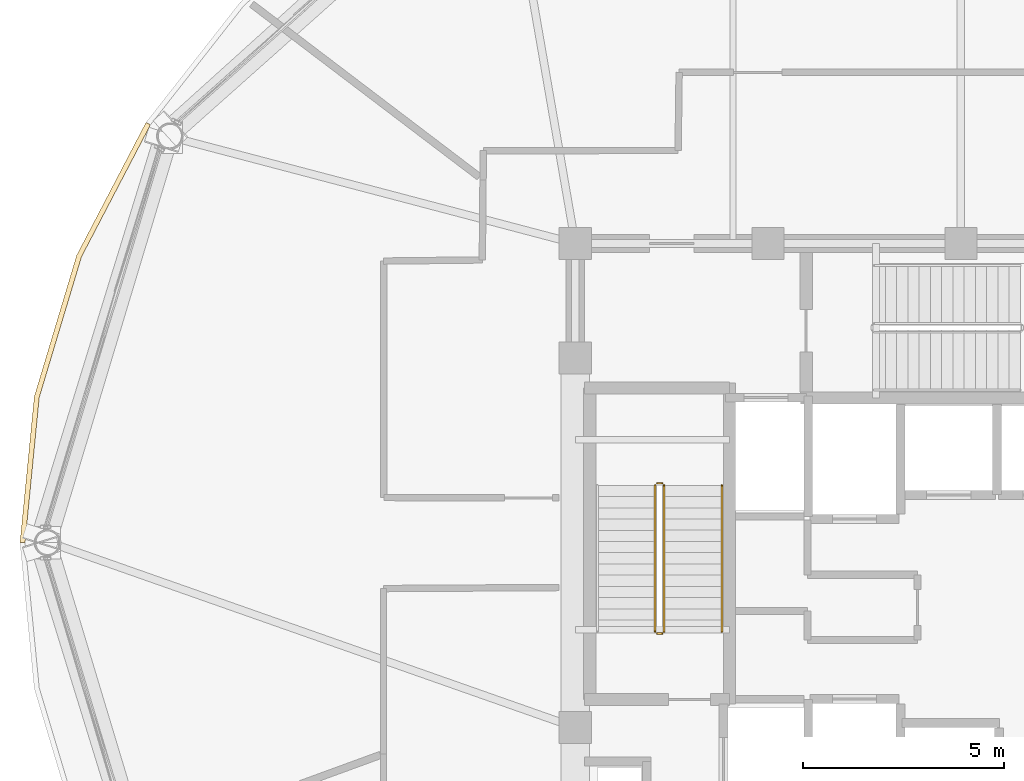
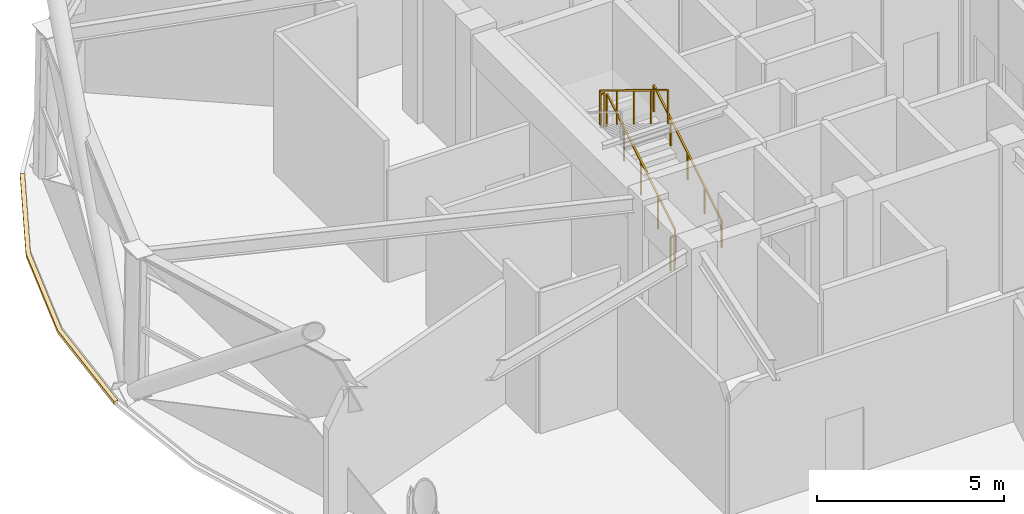
# One storey, part 14 of 16: 5 railings, 1 covering.
"""IFC4 building model written with IfcOpenShell, lengths in metres."""

from ifc_helpers import new_model, si_unit, direction, frame, origin, origin_2d, place, context, subcontext, project, spatial, polyline, rectangle, outline, extrude, material, layer, layer_set, type_object, element, save


model = new_model("IFC4")

# Units and contexts
model_context = context("Model", 3, precision=1e-05, world=origin(), true_north=direction((0.0, 1.0)))
body_context = subcontext(model_context, "Body", "Model", "MODEL_VIEW")
ifc_project = project(units=[si_unit("LENGTHUNIT", "METRE"), si_unit("AREAUNIT", "SQUARE_METRE"), si_unit("VOLUMEUNIT", "CUBIC_METRE"), si_unit("PLANEANGLEUNIT", "RADIAN"), si_unit("MASSUNIT", "GRAM", prefix="KILO")], contexts=[model_context])

# Site, building, storey
site_placement = place(None, origin())
site = spatial("IfcSite", under=ifc_project, at=site_placement, CompositionType="ELEMENT")
building_placement = place(site_placement, origin())
building = spatial("IfcBuilding", under=site, at=building_placement, Name="Vantalir Tower", CompositionType="ELEMENT")
storey_placement = place(building_placement, frame((0.0, 0.0, 181.35009765625)))
storey = spatial("IfcBuildingStorey", under=building, at=storey_placement, Name="L45", CompositionType="ELEMENT", Elevation=181.35009765625)

# Covering
ifc_material_1 = material(Name="Anodised champagne aluminium sill fascia", Category="aluminium")
ifc_layer = layer(ifc_material_1, 0.125)
ifc_layer_set = layer_set([ifc_layer], Name="Anodised champagne aluminium sill fascia")
covering_type = type_object("IfcCoveringType", Name="COV-SLAB-FASCIA-125", PredefinedType="CLADDING", material=ifc_layer_set)
covering_placement = place(storey_placement, frame((0.0, 0.0, -0.18017578125)))
element("IfcCovering", 1, at=covering_placement, inside=storey, type_object=covering_type, Name="L45 Perimeter Slab-Edge Sill Fascia 06", PredefinedType="CLADDING", context=body_context, shape_type="SweptSolid", body=[
    extrude(outline(polyline([(11.212890625, 35.464111328125), (9.488037109375, 32.157958984375), (8.430908203125, 28.634033203125), (8.074951171875, 25.0), (8.199951171875, 25.0), (8.553955078125, 28.613037109375), (9.60498046875, 32.114990234375), (11.322021484375, 35.402099609375), (11.212890625, 35.464111328125)])), origin(), (0.0, 0.0, 1.0), 0.10498046875),
])

# Railings
ifc_material_2 = material(Name="Anodised aluminium and stainless steel guard", Category="steel")
railing_type_1 = type_object("IfcRailingType", Name="RAL-GUARD-1120", PredefinedType="GUARDRAIL", material=ifc_material_2)
railing_1_placement = place(storey_placement, frame((24.110107421875, 22.7900390625, 0.17138671875)))
element("IfcRailing", 2, at=railing_1_placement, inside=storey, type_object=railing_type_1, Name="L45 ST1 stair guard 1", PredefinedType="GUARDRAIL", context=body_context, shape_type="SweptSolid", body=[
    extrude(rectangle(XDim=0.048095703125, YDim=0.048095703125, at=origin_2d()), frame((0.0, 0.0, 1.09619140625), z_axis=(0.0, 0.852850264322, 0.5221555579), x_axis=(-1.0, 0.0, 0.0)), (0.0, 0.0, 1.0), 4.267822265625),
    extrude(rectangle(XDim=0.0419921875, YDim=0.0419921875, at=origin_2d()), origin(), (0.0, 0.0, 1.0), 1.072021484375),
    extrude(rectangle(XDim=0.0419921875, YDim=0.0419921875, at=origin_2d()), frame((0.0, 0.909912109375, 0.55712890625)), (0.0, 0.0, 1.0), 1.072021484375),
    extrude(rectangle(XDim=0.0419921875, YDim=0.0419921875, at=origin_2d()), frame((0.0, 1.81982421875, 1.1142578125)), (0.0, 0.0, 1.0), 1.072021484375),
    extrude(rectangle(XDim=0.0419921875, YDim=0.0419921875, at=origin_2d()), frame((0.0, 2.72998046875, 1.67138671875)), (0.0, 0.0, 1.0), 1.072021484375),
    extrude(rectangle(XDim=0.0419921875, YDim=0.0419921875, at=origin_2d()), frame((0.0, 3.639892578125, 2.228515625)), (0.0, 0.0, 1.0), 1.072021484375),
])
railing_2_placement = place(storey_placement, frame((24.06005859375, 26.47998046875, 2.39990234375)))
element("IfcRailing", 3, at=railing_2_placement, inside=storey, type_object=railing_type_1, Name="L45 ST1 stair guard 2", PredefinedType="GUARDRAIL", context=body_context, shape_type="SweptSolid", body=[
    extrude(rectangle(XDim=0.048095703125, YDim=0.048095703125, at=origin_2d()), frame((0.0, 0.0, 1.09619140625), z_axis=(-1.0, 0.0, 0.0), x_axis=(0.0, -1.0, 0.0)), (0.0, 0.0, 1.0), 0.1201171875),
    extrude(rectangle(XDim=0.0419921875, YDim=0.0419921875, at=origin_2d()), origin(), (0.0, 0.0, 1.0), 1.072021484375),
    extrude(rectangle(XDim=0.0419921875, YDim=0.0419921875, at=origin_2d()), frame((-0.1201171875, 0.0, 0.0)), (0.0, 0.0, 1.0), 1.072021484375),
])
railing_3_placement = place(storey_placement, frame((23.889892578125, 26.429931640625, 2.5712890625)))
element("IfcRailing", 4, at=railing_3_placement, inside=storey, type_object=railing_type_1, Name="L45 ST1 stair guard 3", PredefinedType="GUARDRAIL", context=body_context, shape_type="SweptSolid", body=[
    extrude(rectangle(XDim=0.048095703125, YDim=0.048095703125, at=origin_2d()), frame((0.0, 0.0, 1.09619140625), z_axis=(0.0, -0.852850264322, 0.5221555579), x_axis=(1.0, 0.0, 0.0)), (0.0, 0.0, 1.0), 4.267822265625),
    extrude(rectangle(XDim=0.0419921875, YDim=0.0419921875, at=origin_2d()), origin(), (0.0, 0.0, 1.0), 1.072021484375),
    extrude(rectangle(XDim=0.0419921875, YDim=0.0419921875, at=origin_2d()), frame((0.0, -0.909912109375, 0.55712890625)), (0.0, 0.0, 1.0), 1.072021484375),
    extrude(rectangle(XDim=0.0419921875, YDim=0.0419921875, at=origin_2d()), frame((0.0, -1.81982421875, 1.1142578125)), (0.0, 0.0, 1.0), 1.072021484375),
    extrude(rectangle(XDim=0.0419921875, YDim=0.0419921875, at=origin_2d()), frame((0.0, -2.72998046875, 1.67138671875)), (0.0, 0.0, 1.0), 1.072021484375),
    extrude(rectangle(XDim=0.0419921875, YDim=0.0419921875, at=origin_2d()), frame((0.0, -3.639892578125, 2.228515625)), (0.0, 0.0, 1.0), 1.072021484375),
])
railing_4_placement = place(storey_placement, frame((24.06005859375, 22.739990234375, 0.0)))
element("IfcRailing", 5, at=railing_4_placement, inside=storey, type_object=railing_type_1, Name="L45 ST1 stair guard 4", PredefinedType="GUARDRAIL", context=body_context, shape_type="SweptSolid", body=[
    extrude(rectangle(XDim=0.048095703125, YDim=0.048095703125, at=origin_2d()), frame((0.0, 0.0, 1.09619140625), z_axis=(-1.0, 0.0, 0.0), x_axis=(0.0, -1.0, 0.0)), (0.0, 0.0, 1.0), 0.1201171875),
    extrude(rectangle(XDim=0.0419921875, YDim=0.0419921875, at=origin_2d()), origin(), (0.0, 0.0, 1.0), 1.072021484375),
    extrude(rectangle(XDim=0.0419921875, YDim=0.0419921875, at=origin_2d()), frame((-0.1201171875, 0.0, 0.0)), (0.0, 0.0, 1.0), 1.072021484375),
])
ifc_material_3 = material(Name="Brushed stainless steel tubular handrail", Category="steel")
railing_type_2 = type_object("IfcRailingType", Name="RAL-HANDRAIL-900", PredefinedType="HANDRAIL", material=ifc_material_3)
railing_5_placement = place(storey_placement, frame((25.550048828125, 22.7900390625, 0.17138671875)))
element("IfcRailing", 6, at=railing_5_placement, inside=storey, type_object=railing_type_2, Name="L45 ST1 stair handrail 1", PredefinedType="HANDRAIL", context=body_context, shape_type="SweptSolid", body=[
    extrude(rectangle(XDim=0.048095703125, YDim=0.048095703125, at=origin_2d()), frame((0.0, 0.0, 0.8759765625), z_axis=(0.0, 0.852850264322, 0.5221555579), x_axis=(-1.0, 0.0, 0.0)), (0.0, 0.0, 1.0), 4.267822265625),
    extrude(rectangle(XDim=0.0419921875, YDim=0.0419921875, at=origin_2d()), origin(), (0.0, 0.0, 1.0), 0.851806640625),
    extrude(rectangle(XDim=0.0419921875, YDim=0.0419921875, at=origin_2d()), frame((0.0, 0.909912109375, 0.55712890625)), (0.0, 0.0, 1.0), 0.851806640625),
    extrude(rectangle(XDim=0.0419921875, YDim=0.0419921875, at=origin_2d()), frame((0.0, 1.81982421875, 1.1142578125)), (0.0, 0.0, 1.0), 0.851806640625),
    extrude(rectangle(XDim=0.0419921875, YDim=0.0419921875, at=origin_2d()), frame((0.0, 2.72998046875, 1.67138671875)), (0.0, 0.0, 1.0), 0.851806640625),
    extrude(rectangle(XDim=0.0419921875, YDim=0.0419921875, at=origin_2d()), frame((0.0, 3.639892578125, 2.228515625)), (0.0, 0.0, 1.0), 0.851806640625),
])

save(model, "model.ifc")
